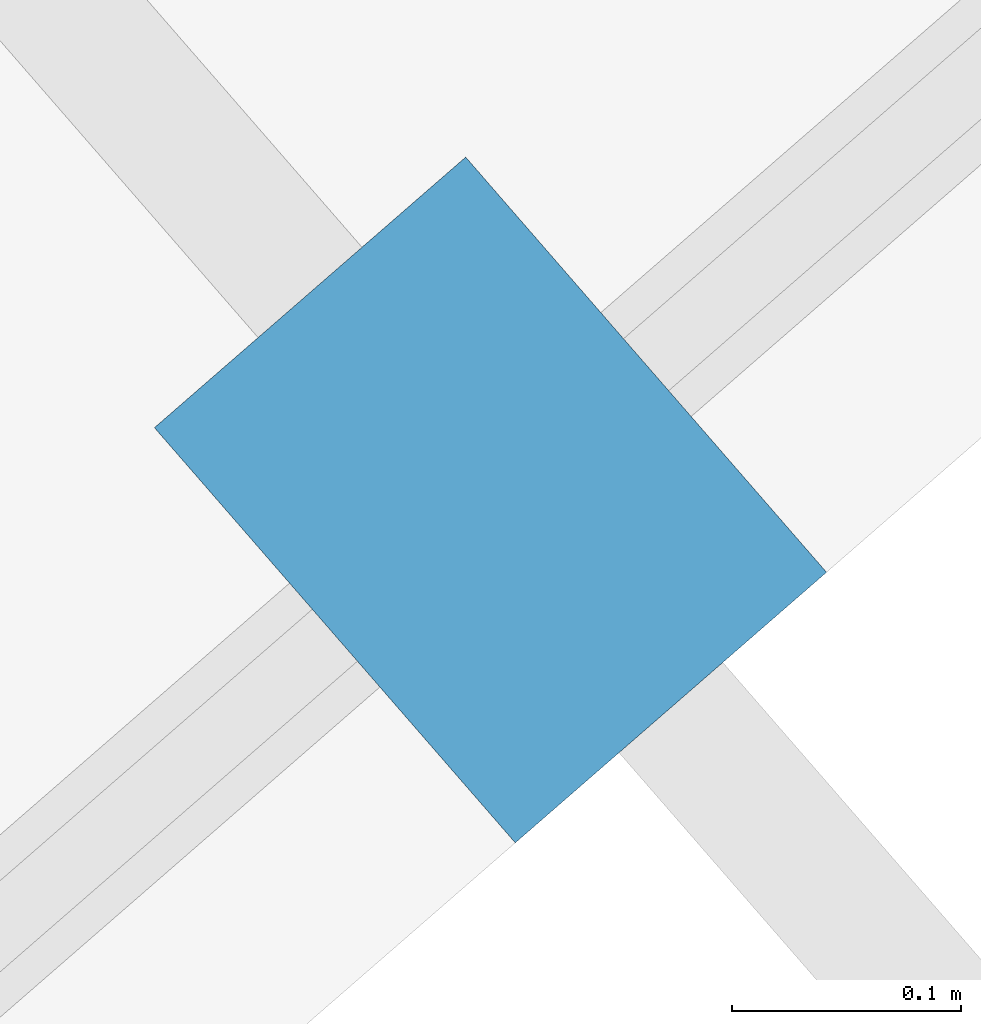
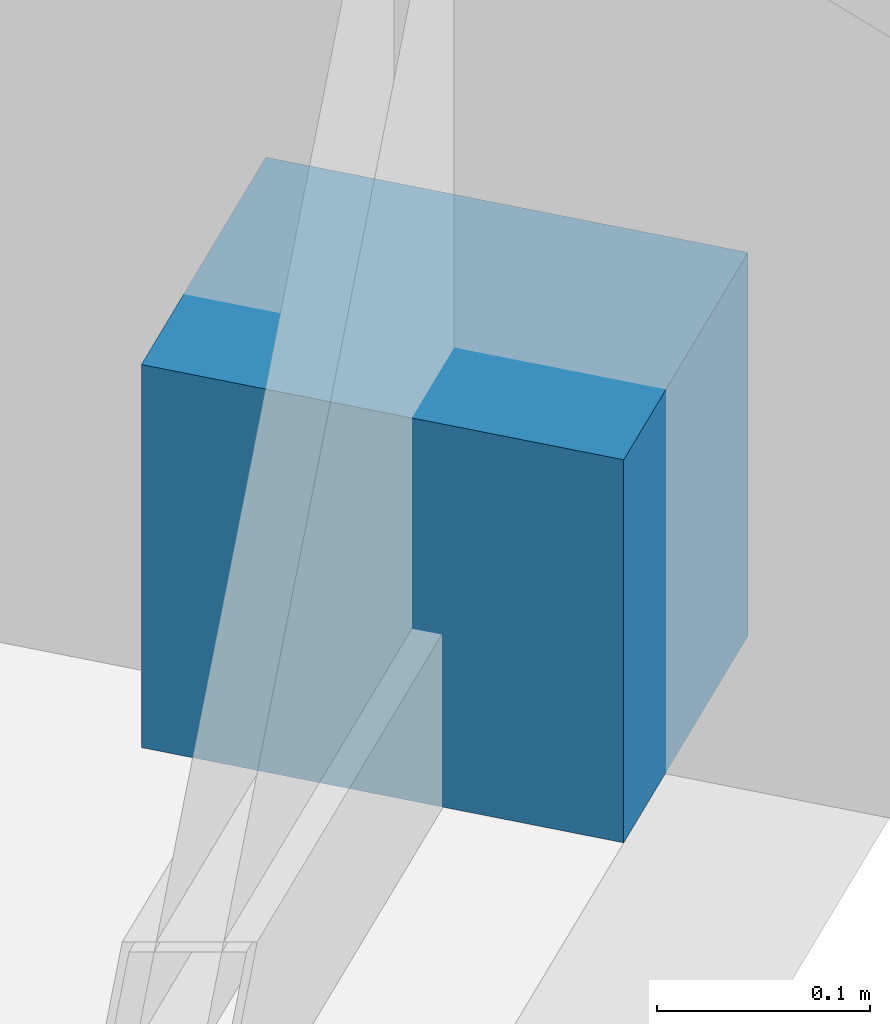
# One storey, part 17 of 19: 1 discrete accessory.
"""IFC4 building model written with IfcOpenShell, lengths in metres."""

from ifc_helpers import new_model, si_unit, direction, frame, origin, origin_2d, place, context, subcontext, project, spatial, rectangle, extrude, material, type_object, element, save


model = new_model("IFC4")

# Units and contexts
model_context = context("Model", 3, precision=1e-05, world=origin(), true_north=direction((0.0, 1.0)))
body_context = subcontext(model_context, "Body", "Model", "MODEL_VIEW")
ifc_project = project(units=[si_unit("LENGTHUNIT", "METRE"), si_unit("AREAUNIT", "SQUARE_METRE"), si_unit("VOLUMEUNIT", "CUBIC_METRE"), si_unit("PLANEANGLEUNIT", "RADIAN"), si_unit("MASSUNIT", "GRAM", prefix="KILO")], contexts=[model_context])

# Site, building, storey
site_placement = place(None, origin())
site = spatial("IfcSite", under=ifc_project, at=site_placement, CompositionType="ELEMENT")
building_placement = place(site_placement, origin())
building = spatial("IfcBuilding", under=site, at=building_placement, Name="Kravanh Interchange Tower", CompositionType="ELEMENT")
storey_placement = place(building_placement, frame((0.0, 0.0, 274.199951171875)))
storey = spatial("IfcBuildingStorey", under=building, at=storey_placement, Name="L67", CompositionType="ELEMENT", Elevation=274.199951171875)

# Discrete accessory
ifc_material = material(Name="Stainless Steel 316", Category="steel")
discrete_accessory_type = type_object("IfcDiscreteAccessoryType", Name="Solar Fin Curtain-Wall Mounting Bracket Stainless 316", PredefinedType="BRACKET", material=ifc_material)
discrete_accessory_placement = place(storey_placement, frame((64.830078125, 19.480712890625, 0.0), z_axis=(0.0, 0.0, 1.0), x_axis=(0.656043386928, -0.754723177376, 0.0)))
element("IfcDiscreteAccessory", 1, at=discrete_accessory_placement, inside=storey, type_object=discrete_accessory_type, Name="L67 Solar Fin Mounting Bracket 2", PredefinedType="BRACKET", context=body_context, shape_type="SweptSolid", body=[
    extrude(rectangle(XDim=0.239990234375, YDim=0.179931640625, at=origin_2d()), origin(), (0.0, 0.0, 1.0), 0.219970703125),
])

save(model, "model.ifc")
